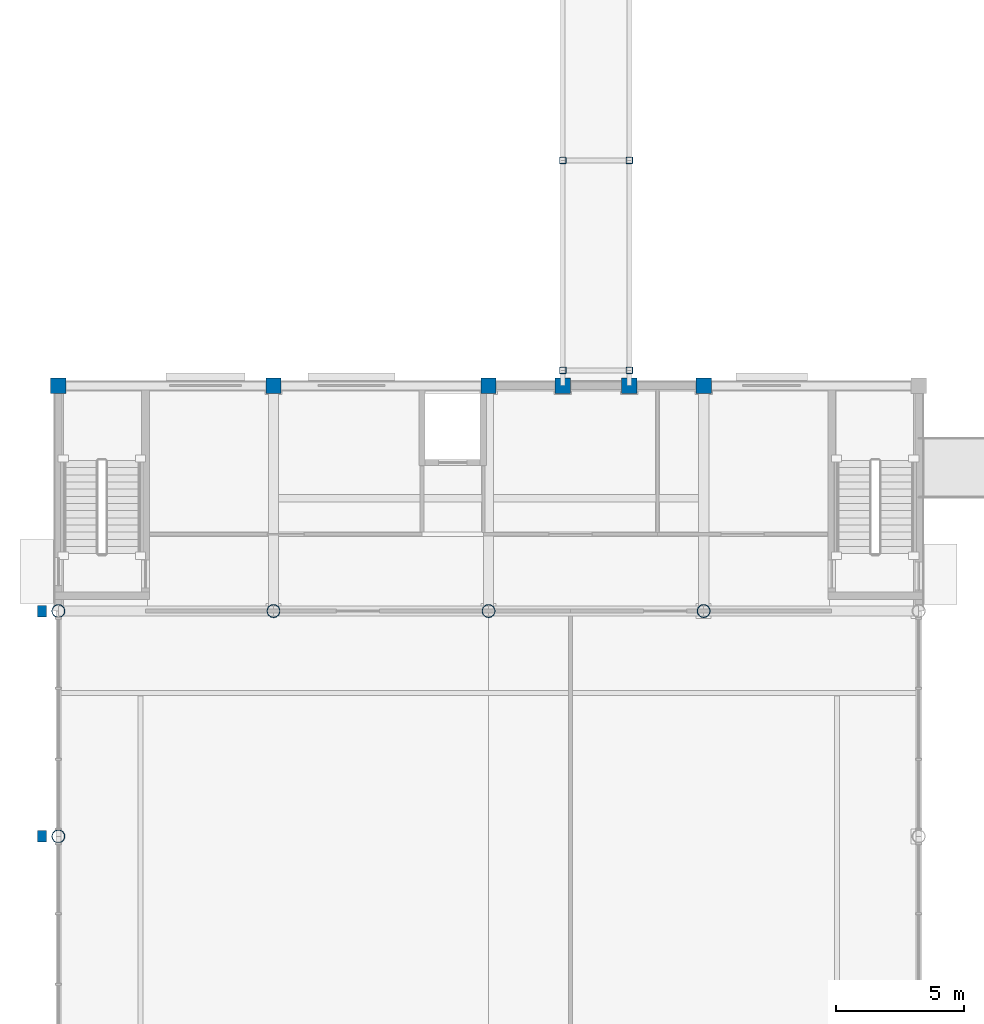
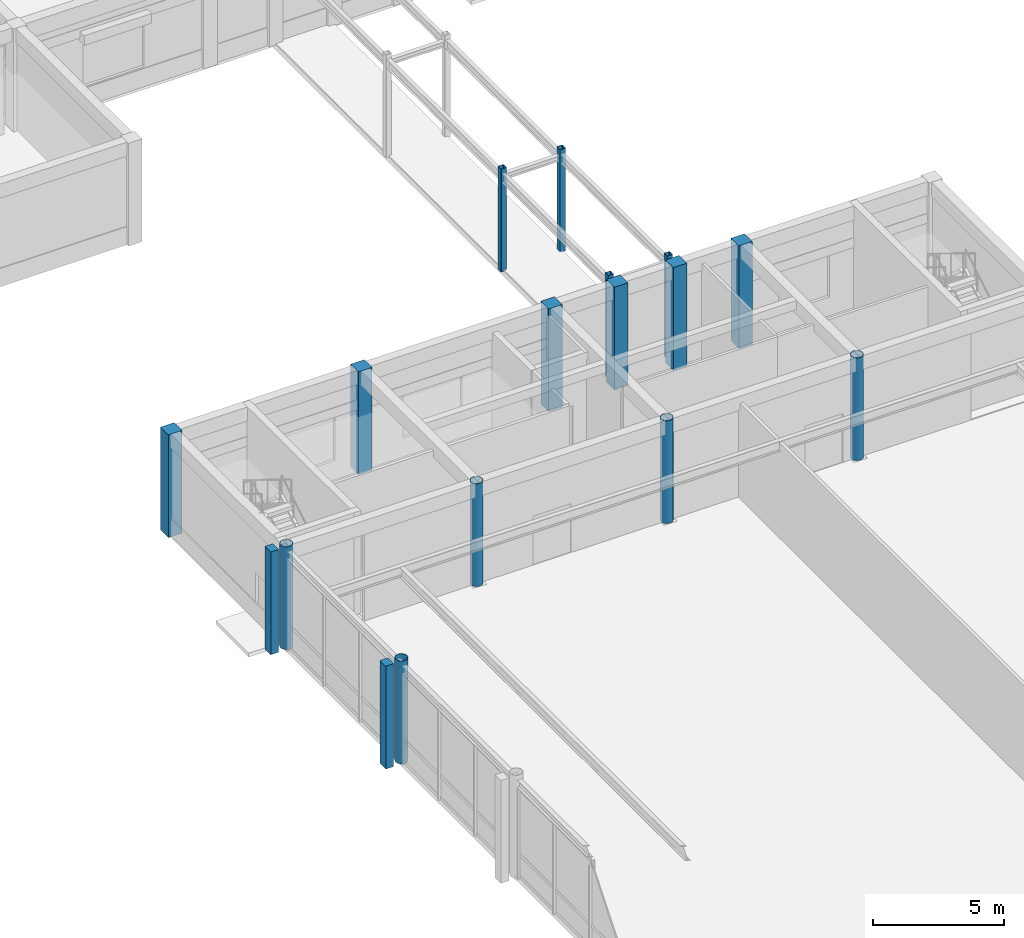
# One storey, part 3 of 58: 17 columns.
"""IFC4 building model written with IfcOpenShell, lengths in metres."""

from ifc_helpers import new_model, si_unit, direction, frame, origin, origin_2d, place, context, subcontext, project, spatial, rectangle, hollow_rectangle, hollow_circle, extrude, material, material_profile, profile_set, type_object, element, save


model = new_model("IFC4")

# Units and contexts
model_context = context("Model", 3, precision=1e-05, world=origin(), true_north=direction((0.0, 1.0)))
body_context = subcontext(model_context, "Body", "Model", "MODEL_VIEW")
ifc_project = project(units=[si_unit("LENGTHUNIT", "METRE"), si_unit("AREAUNIT", "SQUARE_METRE"), si_unit("VOLUMEUNIT", "CUBIC_METRE"), si_unit("PLANEANGLEUNIT", "RADIAN"), si_unit("MASSUNIT", "GRAM", prefix="KILO")], contexts=[model_context])

# Site, building, storey
site_placement = place(None, origin())
site = spatial("IfcSite", under=ifc_project, at=site_placement, CompositionType="ELEMENT")
building_placement = place(site_placement, origin())
building = spatial("IfcBuilding", under=site, at=building_placement, Name="Kemercrest Conservatory and Botanical Centre", CompositionType="ELEMENT")
storey_placement = place(building_placement, origin())
storey = spatial("IfcBuildingStorey", under=building, at=storey_placement, Name="L00", CompositionType="ELEMENT", Elevation=0.0)

# Columns
ifc_material_1 = material(Name="Concrete C40/50", Category="concrete")
ifc_material_profile_1 = material_profile(ifc_material_1, rectangle(XDim=0.60009765625, YDim=0.60009765625, at=origin_2d()), Name="RC 600x600")
ifc_profile_set_1 = profile_set([ifc_material_profile_1], Name="Concrete C40/50")
column_type_1 = type_object("IfcColumnType", Name="C-RC60", PredefinedType="COLUMN", material=ifc_profile_set_1)
for number, where, z_axis, x_axis, name in (
    (1, (8.0, 60.800048828125, 0.0), (0.0, 0.0, 1.0), (1.0, 0.0, 0.0), "Conservatory north bar column 01/G"),
    (2, (16.39990234375, 60.800048828125, 0.0), (0.0, 0.0, 1.0), (1.0, 0.0, 0.0), "Conservatory north bar column 02/G"),
    (3, (24.800048828125, 60.800048828125, 0.0), (0.0, 0.0, 1.0), (1.0, 0.0, 0.0), "Conservatory north bar column 03/G"),
    (4, (33.199951171875, 60.800048828125, 0.0), (0.0, 0.0, 1.0), (1.0, 0.0, 0.0), "Conservatory north bar column 04/G"),
    (5, (27.699951171875, 60.800048828125, 0.0), (0.0, 0.0, 1.0), (1.0, 0.0, 0.0), "West Botanical Court Covered Passage SJ-2 org pier column 1"),
    (6, (30.300048828125, 60.800048828125, 0.0), (0.0, 0.0, 1.0), (1.0, 0.0, 0.0), "West Botanical Court Covered Passage SJ-2 org pier column 2"),
):
    element("IfcColumn", number, at=place(storey_placement, frame(where, z_axis=z_axis, x_axis=x_axis)), inside=storey, type_object=column_type_1, Name=name, PredefinedType="COLUMN", context=body_context, shape_type="SweptSolid", body=[
        extrude(rectangle(XDim=0.60009765625, YDim=0.60009765625, at=origin_2d()), origin(), (0.0, 0.0, 1.0), 4.800048828125),
    ])
ifc_material_2 = material(Name="Steel CSA G40.21 350W", Category="steel")
ifc_material_profile_2 = material_profile(ifc_material_2, hollow_rectangle(XDim=0.25390625, YDim=0.25390625, WallThickness=0.0126953125, InnerFilletRadius=0.0126953125, OuterFilletRadius=0.02490234375, at=origin_2d()), Name="HSS 254x254x12.7")
ifc_profile_set_2 = profile_set([ifc_material_profile_2], Name="Steel CSA G40.21 350W")
column_type_2 = type_object("IfcColumnType", Name="C-S254", PredefinedType="COLUMN", material=ifc_profile_set_2)
for number, where, z_axis, x_axis, name in (
    (7, (27.699951171875, 61.39990234375, 0.0), (0.0, 0.0, 1.0), (1.0, 0.0, 0.0), "West Botanical Court Covered Passage SJ-2 support column P0-1"),
    (8, (30.300048828125, 61.39990234375, 0.0), (0.0, 0.0, 1.0), (1.0, 0.0, 0.0), "West Botanical Court Covered Passage SJ-2 support column P0-2"),
    (9, (27.699951171875, 69.60009765625, 0.0), (0.0, 0.0, 1.0), (1.0, 0.0, 0.0), "West Botanical Court Covered Passage SJ-2 support column P1-1"),
    (10, (30.300048828125, 69.60009765625, 0.0), (0.0, 0.0, 1.0), (1.0, 0.0, 0.0), "West Botanical Court Covered Passage SJ-2 support column P1-2"),
):
    element("IfcColumn", number, at=place(storey_placement, frame(where, z_axis=z_axis, x_axis=x_axis)), inside=storey, type_object=column_type_2, Name=name, PredefinedType="COLUMN", context=body_context, shape_type="SweptSolid", body=[
        extrude(hollow_rectangle(XDim=0.25390625, YDim=0.25390625, WallThickness=0.0126953125, InnerFilletRadius=0.0126953125, OuterFilletRadius=0.02490234375, at=origin_2d()), origin(), (0.0, 0.0, 1.0), 4.800048828125),
    ])
ifc_material_profile_3 = material_profile(ifc_material_2, hollow_circle(Radius=0.25390625, WallThickness=0.01611328125, at=origin_2d()), Name="CHS 508.0x16.0")
ifc_profile_set_3 = profile_set([ifc_material_profile_3], Name="Steel CSA G40.21 350W")
column_type_3 = type_object("IfcColumnType", Name="C-S508", PredefinedType="COLUMN", material=ifc_profile_set_3)
for number, where, z_axis, x_axis, name in (
    (11, (8.0, 43.199951171875, 0.0), (0.0, 0.0, 1.0), (1.0, 0.0, 0.0), "Conservatory perimeter steel column 01/E"),
    (12, (8.0, 52.0, 0.0), (0.0, 0.0, 1.0), (1.0, 0.0, 0.0), "Conservatory perimeter steel column 01/F"),
    (13, (16.39990234375, 52.0, 0.0), (0.0, 0.0, 1.0), (1.0, 0.0, 0.0), "Conservatory perimeter steel column 02/F"),
    (14, (24.800048828125, 52.0, 0.0), (0.0, 0.0, 1.0), (1.0, 0.0, 0.0), "Conservatory perimeter steel column 03/F"),
    (15, (33.199951171875, 52.0, 0.0), (0.0, 0.0, 1.0), (1.0, 0.0, 0.0), "Conservatory perimeter steel column 04/F"),
):
    element("IfcColumn", number, at=place(storey_placement, frame(where, z_axis=z_axis, x_axis=x_axis)), inside=storey, type_object=column_type_3, Name=name, PredefinedType="COLUMN", context=body_context, shape_type="SweptSolid", body=[
        extrude(hollow_circle(Radius=0.25390625, WallThickness=0.01611328125, at=origin_2d()), origin(), (0.0, 0.0, 1.0), 4.800048828125),
    ])
ifc_material_3 = material(Name="Precast concrete C40/50", Category="concrete")
ifc_material_profile_4 = material_profile(ifc_material_3, rectangle(XDim=0.35009765625, YDim=0.449951171875, at=origin_2d()), Name="RC 450x350")
ifc_profile_set_4 = profile_set([ifc_material_profile_4], Name="Precast concrete C40/50")
column_type_4 = type_object("IfcColumnType", Name="PL-450", PredefinedType="PILASTER", material=ifc_profile_set_4)
for number, where, z_axis, x_axis, name in (
    (16, (7.360107421875, 43.199951171875, 0.0), (0.0, 0.0, 1.0), (1.0, 0.0, 0.0), "Conservatory facade stone pilaster 01/E"),
    (17, (7.360107421875, 52.0, 0.0), (0.0, 0.0, 1.0), (1.0, 0.0, 0.0), "Conservatory facade stone pilaster 01/F"),
):
    element("IfcColumn", number, at=place(storey_placement, frame(where, z_axis=z_axis, x_axis=x_axis)), inside=storey, type_object=column_type_4, Name=name, PredefinedType="PILASTER", context=body_context, shape_type="SweptSolid", body=[
        extrude(rectangle(XDim=0.35009765625, YDim=0.449951171875, at=origin_2d()), origin(), (0.0, 0.0, 1.0), 4.800048828125),
    ])

save(model, "model.ifc")
